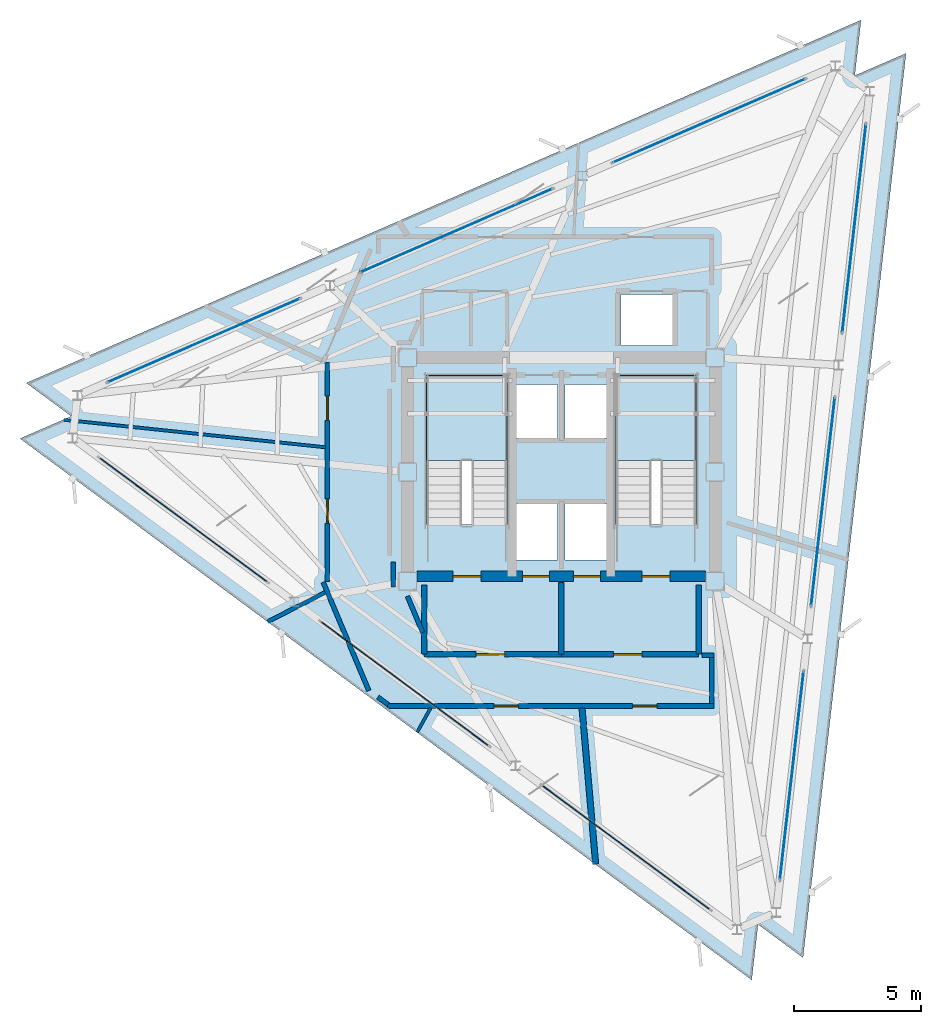
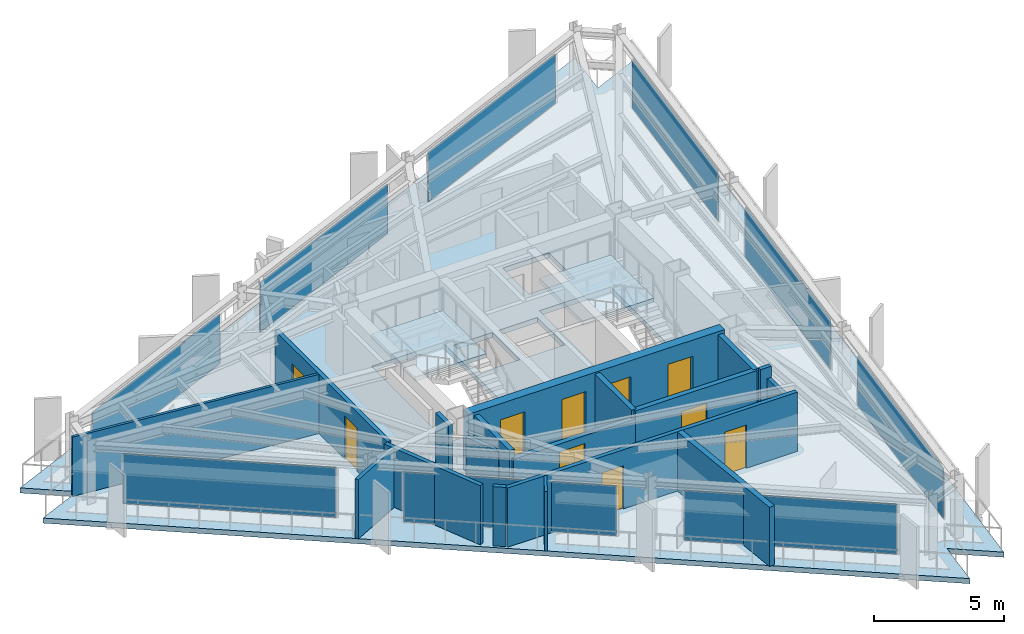
# One storey, part 5 of 10: 18 walls, 10 doors, 9 plates, 3 slabs, 10 openings, 11 elements without a shape of their own.
"""IFC4 building model written with IfcOpenShell, lengths in metres."""

from ifc_helpers import new_model, si_unit, direction, frame, frame_2d, origin, origin_2d, place, context, subcontext, project, spatial, polyline, rectangle, outline, extrude, material, layer, layer_set, type_object, element, fill, aggregate, save


model = new_model("IFC4")

# Units and contexts
model_context = context("Model", 3, precision=1e-05, world=origin(), true_north=direction((0.0, 1.0)))
body_context = subcontext(model_context, "Body", "Model", "MODEL_VIEW")
ifc_project = project(units=[si_unit("LENGTHUNIT", "METRE"), si_unit("AREAUNIT", "SQUARE_METRE"), si_unit("VOLUMEUNIT", "CUBIC_METRE"), si_unit("PLANEANGLEUNIT", "RADIAN"), si_unit("MASSUNIT", "GRAM", prefix="KILO")], contexts=[model_context])

# Site, building, storey
site_placement = place(None, origin())
site = spatial("IfcSite", under=ifc_project, at=site_placement, CompositionType="ELEMENT")
building_placement = place(site_placement, origin())
building = spatial("IfcBuilding", under=site, at=building_placement, Name="Rocaltana Carrier Exchange", CompositionType="ELEMENT")
storey_placement = place(building_placement, frame((0.0, 0.0, 227.0400390625)))
storey = spatial("IfcBuildingStorey", under=building, at=storey_placement, Name="L72", CompositionType="ELEMENT", Elevation=227.0400390625)

# Curtain wall, plate
ifc_material_1 = material(Name="Aluminium 6063-T6", Category="aluminium")
ifc_layer_1 = layer(ifc_material_1, 0.1201171875)
ifc_layer_set_1 = layer_set([ifc_layer_1], Name="Aluminium 6063-T6")
curtain_wall_type = type_object("IfcCurtainWallType", Name="High-Altitude Thermal Curtain Wall CW-05", PredefinedType="NOTDEFINED", material=ifc_layer_set_1)
curtain_wall_1_placement = place(storey_placement, origin())
curtain_wall_1 = element("IfcCurtainWall", 1, at=curtain_wall_1_placement, inside=storey, type_object=curtain_wall_type, Name="L72 CW-05 Run CW-L72-F1S1", PredefinedType="NOTDEFINED")
ifc_material_2 = material(Name="Tempered Laminated Glass", Category="glass")
ifc_layer_2 = layer(ifc_material_2, 0.035888671875)
ifc_layer_set_2 = layer_set([ifc_layer_2], Name="Tempered Laminated Glass")
plate_type = type_object("IfcPlateType", Name="CW-05 Stone-Insulated Vision Panel", PredefinedType="CURTAIN_PANEL", material=ifc_layer_set_2)
plate_1_placement = place(storey_placement, frame((9.061767578125, -11.935791015625, 0.06005859375), z_axis=(0.0, 0.0, 1.0), x_axis=(0.113208822277, 0.993571216652, 0.0)))
plate_1 = element("IfcPlate", 2, at=plate_1_placement, type_object=plate_type, Name="CW-05 panel 1.1", PredefinedType="CURTAIN_PANEL", context=body_context, shape_type="SweptSolid", body=[
    extrude(rectangle(XDim=8.21337890625, YDim=0.035888671875, at=origin_2d()), origin(), (0.0, 0.0, 1.0), 2.327880859375),
])
aggregate(curtain_wall_1, [plate_1])

curtain_wall_2_placement = place(storey_placement, origin())
curtain_wall_2 = element("IfcCurtainWall", 3, at=curtain_wall_2_placement, inside=storey, type_object=curtain_wall_type, Name="L72 CW-05 Run CW-L72-F1S2", PredefinedType="NOTDEFINED")
plate_2_placement = place(storey_placement, frame((10.2880859375, -1.172119140625, 0.06005859375), z_axis=(0.0, 0.0, 1.0), x_axis=(0.113208822277, 0.993571216652, 0.0)))
plate_2 = element("IfcPlate", 4, at=plate_2_placement, type_object=plate_type, Name="CW-05 panel 1.1", PredefinedType="CURTAIN_PANEL", context=body_context, shape_type="SweptSolid", body=[
    extrude(rectangle(XDim=8.21337890625, YDim=0.035888671875, at=origin_2d()), origin(), (0.0, 0.0, 1.0), 2.327880859375),
])
aggregate(curtain_wall_2, [plate_2])

curtain_wall_3_placement = place(storey_placement, origin())
curtain_wall_3 = element("IfcCurtainWall", 5, at=curtain_wall_3_placement, inside=storey, type_object=curtain_wall_type, Name="L72 CW-05 Run CW-L72-F1S3", PredefinedType="NOTDEFINED")
plate_3_placement = place(storey_placement, frame((11.5146484375, 9.591552734375, 0.06005859375), z_axis=(0.0, 0.0, 1.0), x_axis=(0.113196975964, 0.993572566365, 0.0)))
plate_3 = element("IfcPlate", 6, at=plate_3_placement, type_object=plate_type, Name="CW-05 panel 1.1", PredefinedType="CURTAIN_PANEL", context=body_context, shape_type="SweptSolid", body=[
    extrude(rectangle(XDim=8.21337890625, YDim=0.035888671875, at=origin_2d()), origin(), (0.0, 0.0, 1.0), 2.327880859375),
])
aggregate(curtain_wall_3, [plate_3])

curtain_wall_4_placement = place(storey_placement, origin())
curtain_wall_4 = element("IfcCurtainWall", 7, at=curtain_wall_4_placement, inside=storey, type_object=curtain_wall_type, Name="L72 CW-05 Run CW-L72-F2S1", PredefinedType="NOTDEFINED")
plate_4_placement = place(storey_placement, frame((5.805908203125, 13.815673828125, 0.06005859375), z_axis=(0.0, 0.0, 1.0), x_axis=(-0.917056701313, -0.39875682637, 0.0)))
plate_4 = element("IfcPlate", 8, at=plate_4_placement, type_object=plate_type, Name="CW-05 panel 1.1", PredefinedType="CURTAIN_PANEL", context=body_context, shape_type="SweptSolid", body=[
    extrude(rectangle(XDim=8.21337890625, YDim=0.035888671875, at=origin_2d()), origin(), (0.0, 0.0, 1.0), 2.327880859375),
])
aggregate(curtain_wall_4, [plate_4])

curtain_wall_5_placement = place(storey_placement, origin())
curtain_wall_5 = element("IfcCurtainWall", 9, at=curtain_wall_5_placement, inside=storey, type_object=curtain_wall_type, Name="L72 CW-05 Run CW-L72-F2S2", PredefinedType="NOTDEFINED")
plate_5_placement = place(storey_placement, frame((-4.12890625, 9.495849609375, 0.06005859375), z_axis=(0.0, 0.0, 1.0), x_axis=(-0.917058609352, -0.398752438254, 0.0)))
plate_5 = element("IfcPlate", 10, at=plate_5_placement, type_object=plate_type, Name="CW-05 panel 1.1", PredefinedType="CURTAIN_PANEL", context=body_context, shape_type="SweptSolid", body=[
    extrude(rectangle(XDim=8.21337890625, YDim=0.035888671875, at=origin_2d()), origin(), (0.0, 0.0, 1.0), 2.327880859375),
])
aggregate(curtain_wall_5, [plate_5])

curtain_wall_6_placement = place(storey_placement, origin())
curtain_wall_6 = element("IfcCurtainWall", 11, at=curtain_wall_6_placement, inside=storey, type_object=curtain_wall_type, Name="L72 CW-05 Run CW-L72-F2S3", PredefinedType="NOTDEFINED")
plate_6_placement = place(storey_placement, frame((-14.063720703125, 5.176025390625, 0.06005859375), z_axis=(0.0, 0.0, 1.0), x_axis=(-0.917056701313, -0.39875682637, 0.0)))
plate_6 = element("IfcPlate", 12, at=plate_6_placement, type_object=plate_type, Name="CW-05 panel 1.1", PredefinedType="CURTAIN_PANEL", context=body_context, shape_type="SweptSolid", body=[
    extrude(rectangle(XDim=8.21337890625, YDim=0.035888671875, at=origin_2d()), origin(), (0.0, 0.0, 1.0), 2.327880859375),
])
aggregate(curtain_wall_6, [plate_6])

curtain_wall_7_placement = place(storey_placement, origin())
curtain_wall_7 = element("IfcCurtainWall", 13, at=curtain_wall_7_placement, inside=storey, type_object=curtain_wall_type, Name="L72 CW-05 Run CW-L72-F3S1", PredefinedType="NOTDEFINED")
plate_7_placement = place(storey_placement, frame((-14.86767578125, -1.8798828125, 0.06005859375), z_axis=(0.0, 0.0, 1.0), x_axis=(0.803854063386, -0.594826566974, 0.0)))
plate_7 = element("IfcPlate", 14, at=plate_7_placement, type_object=plate_type, Name="CW-05 panel 1.1", PredefinedType="CURTAIN_PANEL", context=body_context, shape_type="SweptSolid", body=[
    extrude(rectangle(XDim=8.21337890625, YDim=0.035888671875, at=origin_2d()), origin(), (0.0, 0.0, 1.0), 2.327880859375),
])
aggregate(curtain_wall_7, [plate_7])

curtain_wall_8_placement = place(storey_placement, origin())
curtain_wall_8 = element("IfcCurtainWall", 15, at=curtain_wall_8_placement, inside=storey, type_object=curtain_wall_type, Name="L72 CW-05 Run CW-L72-F3S2", PredefinedType="NOTDEFINED")
plate_8_placement = place(storey_placement, frame((-6.1591796875, -8.32373046875, 0.06005859375), z_axis=(0.0, 0.0, 1.0), x_axis=(0.803858309141, -0.594820829179, 0.0)))
plate_8 = element("IfcPlate", 16, at=plate_8_placement, type_object=plate_type, Name="CW-05 panel 1.1", PredefinedType="CURTAIN_PANEL", context=body_context, shape_type="SweptSolid", body=[
    extrude(rectangle(XDim=8.21337890625, YDim=0.035888671875, at=origin_2d()), origin(), (0.0, 0.0, 1.0), 2.327880859375),
])
aggregate(curtain_wall_8, [plate_8])

curtain_wall_9_placement = place(storey_placement, origin())
curtain_wall_9 = element("IfcCurtainWall", 17, at=curtain_wall_9_placement, inside=storey, type_object=curtain_wall_type, Name="L72 CW-05 Run CW-L72-F3S3", PredefinedType="NOTDEFINED")
plate_9_placement = place(storey_placement, frame((2.54931640625, -14.767578125, 0.06005859375), z_axis=(0.0, 0.0, 1.0), x_axis=(0.803854063386, -0.594826566974, 0.0)))
plate_9 = element("IfcPlate", 18, at=plate_9_placement, type_object=plate_type, Name="CW-05 panel 1.1", PredefinedType="CURTAIN_PANEL", context=body_context, shape_type="SweptSolid", body=[
    extrude(rectangle(XDim=8.21337890625, YDim=0.035888671875, at=origin_2d()), origin(), (0.0, 0.0, 1.0), 2.327880859375),
])
aggregate(curtain_wall_9, [plate_9])

# Slab
ifc_material_3 = material(Name="Concrete C50/60", Category="concrete")
ifc_layer_3 = layer(ifc_material_3, 0.239990234375)
ifc_layer_set_3 = layer_set([ifc_layer_3], Name="Concrete C50/60")
slab_type_1 = type_object("IfcSlabType", Name="High-Zone Tower Slab 240", PredefinedType="FLOOR", material=ifc_layer_set_3)
slab_1_placement = place(storey_placement, frame((0.0, 0.0, -0.239990234375)))
element("IfcSlab", 19, at=slab_1_placement, inside=storey, type_object=slab_type_1, Name="L72 Structural Floor Slab", PredefinedType="FLOOR", context=body_context, shape_type="SweptSolid", body=[
    extrude(outline(polyline([(7.486328125, -19.975830078125), (7.7353515625, -17.7900390625), (9.50390625, -19.0986328125), (13.556396484375, 16.47119140625), (11.538818359375, 15.593994140625), (11.7880859375, 17.77978515625), (-21.042724609375, 3.504638671875), (-19.2744140625, 2.196044921875), (-21.291748046875, 1.31884765625), (7.486328125, -19.975830078125)]), holes=[polyline([(-5.300048828125, -2.06005859375), (-2.139892578125, -2.06005859375), (-2.139892578125, 3.800048828125), (-5.300048828125, 3.800048828125), (-5.300048828125, -2.06005859375)]), polyline([(2.139892578125, -2.06005859375), (5.300048828125, -2.06005859375), (5.300048828125, 3.800048828125), (2.139892578125, 3.800048828125), (2.139892578125, -2.06005859375)]), polyline([(-1.85009765625, -3.449951171875), (-0.14990234375, -3.449951171875), (-0.14990234375, -1.25), (-1.85009765625, -1.25), (-1.85009765625, -3.449951171875)]), polyline([(0.14990234375, -3.449951171875), (1.85009765625, -3.449951171875), (1.85009765625, -1.25), (0.14990234375, -1.25), (0.14990234375, -3.449951171875)]), polyline([(2.35009765625, 4.97998046875), (4.39990234375, 4.97998046875), (4.39990234375, 6.97998046875), (2.35009765625, 6.97998046875), (2.35009765625, 4.97998046875)]), polyline([(-1.85009765625, 1.35009765625), (-0.14990234375, 1.35009765625), (-0.14990234375, 3.449951171875), (-1.85009765625, 3.449951171875), (-1.85009765625, 1.35009765625)]), polyline([(0.14990234375, 1.35009765625), (1.85009765625, 1.35009765625), (1.85009765625, 3.449951171875), (0.14990234375, 3.449951171875), (0.14990234375, 1.35009765625)])]), origin(), (0.0, 0.0, 1.0), 0.239990234375),
])

# Stair, slab
ifc_material_4 = material(Name="Precast concrete C45/55", Category="concrete")
stair_type = type_object("IfcStairType", Name="Standard Dog-Leg Stair 160", PredefinedType="HALF_TURN_STAIR", material=ifc_material_4)
stair_1_placement = place(storey_placement, origin())
stair_1 = element("IfcStair", 20, at=stair_1_placement, inside=storey, type_object=stair_type, Name="L72 Core West Exit Stair ST-1", PredefinedType="HALF_TURN_STAIR")
ifc_material_5 = material(Name="Precast concrete C45/55", Category="concrete")
ifc_layer_4 = layer(ifc_material_5, 0.199951171875)
ifc_layer_set_4 = layer_set([ifc_layer_4], Name="Precast concrete C45/55")
slab_type_2 = type_object("IfcSlabType", Name="Precast Stair Half-Landing 200", PredefinedType="LANDING", material=ifc_layer_set_4)
slab_2_placement = place(storey_placement, frame((0.0, 0.0, 1.320068359375)))
slab_2 = element("IfcSlab", 21, at=slab_2_placement, type_object=slab_type_2, Name="ST-1 landing 1", PredefinedType="LANDING", context=body_context, shape_type="SweptSolid", body=[
    extrude(outline(polyline([(-2.139892578125, 0.4599609375), (-2.139892578125, 3.800048828125), (-5.300048828125, 3.800048828125), (-5.300048828125, 0.4599609375), (-2.139892578125, 0.4599609375)])), origin(), (0.0, 0.0, 1.0), 0.199951171875),
])
aggregate(stair_1, [slab_2])

stair_2_placement = place(storey_placement, origin())
stair_2 = element("IfcStair", 22, at=stair_2_placement, inside=storey, type_object=stair_type, Name="L72 Core East Exit Stair ST-2", PredefinedType="HALF_TURN_STAIR")
slab_3_placement = place(storey_placement, frame((0.0, 0.0, 1.320068359375)))
slab_3 = element("IfcSlab", 23, at=slab_3_placement, type_object=slab_type_2, Name="ST-2 landing 1", PredefinedType="LANDING", context=body_context, shape_type="SweptSolid", body=[
    extrude(outline(polyline([(5.300048828125, 0.4599609375), (5.300048828125, 3.800048828125), (2.139892578125, 3.800048828125), (2.139892578125, 0.4599609375), (5.300048828125, 0.4599609375)])), origin(), (0.0, 0.0, 1.0), 0.199951171875),
])
aggregate(stair_2, [slab_3])

# Wall
ifc_material_6 = material(Name="Double Acoustic Gypsum Partition", Category="gypsum")
ifc_layer_5 = layer(ifc_material_6, 0.159912109375)
ifc_layer_set_5 = layer_set([ifc_layer_5], Name="Double Acoustic Gypsum Partition")
wall_type_1 = type_object("IfcWallType", Name="Acoustic Studio Partition 160 EI60", PredefinedType="PARTITIONING", material=ifc_layer_set_5)
wall_1_placement = place(storey_placement, frame((-9.28564453125, -4.731201171875, 0.0), z_axis=(0.0, 0.0, 1.0), x_axis=(-0.890990970919, -0.454021023456, 0.0)))
element("IfcWall", 24, at=wall_1_placement, inside=storey, type_object=wall_type_1, Name="L72 Suite Divider Wall D1", PredefinedType="PARTITIONING", context=body_context, shape_type="SweptSolid", body=[
    extrude(rectangle(XDim=2.534423828125, YDim=0.159912109375, at=frame_2d((1.26708984375, 0.0))), origin(), (0.0, 0.0, 1.0), 2.77294921875),
])

# Wall, openings, doors
ifc_material_7 = material(Name="Concrete C50/60", Category="concrete")
ifc_layer_6 = layer(ifc_material_7, 0.39990234375)
ifc_layer_set_6 = layer_set([ifc_layer_6], Name="Concrete C50/60")
wall_type_2 = type_object("IfcWallType", Name="Core Internal Shear Wall 400", PredefinedType="SHEAR", material=ifc_layer_set_6)
wall_2_placement = place(storey_placement, frame((-5.675048828125, -4.10009765625, 0.0), z_axis=(0.0, 0.0, 1.0), x_axis=(1.0, 0.0, 0.0)))
wall_2 = element("IfcWall", 25, at=wall_2_placement, inside=storey, type_object=wall_type_2, Name="L72 Core Shear Wall CW-S", PredefinedType="SHEAR", context=body_context, shape_type="SweptSolid", body=[
    extrude(rectangle(XDim=11.35009765625, YDim=0.39990234375, at=frame_2d((5.675048828125, 0.0))), origin(), (0.0, 0.0, 1.0), 2.7978515625),
])
opening_1_placement = place(wall_2_placement, frame((1.405029296875, 0.0, 0.0)))
opening_1 = element("IfcOpeningElement", 26, at=opening_1_placement, cuts=wall_2, Name="Opening D-ST110", PredefinedType="OPENING", context=body_context, shape_type="SweptSolid", body=[
    extrude(rectangle(XDim=1.10009765625, YDim=2.0400390625, at=frame_2d((0.550048828125, 1.02001953125))), frame((0.0, 0.2099609375, 0.0), z_axis=(0.0, -1.0, 0.0), x_axis=(1.0, 0.0, 0.0)), (0.0, 0.0, 1.0), 0.419921875),
])
opening_2_placement = place(wall_2_placement, frame((8.844970703125, 0.0, 0.0)))
opening_2 = element("IfcOpeningElement", 27, at=opening_2_placement, cuts=wall_2, Name="Opening D-ST110", PredefinedType="OPENING", context=body_context, shape_type="SweptSolid", body=[
    extrude(rectangle(XDim=1.10009765625, YDim=2.0400390625, at=frame_2d((0.550048828125, 1.02001953125))), frame((0.0, 0.2099609375, 0.0), z_axis=(0.0, -1.0, 0.0), x_axis=(1.0, 0.0, 0.0)), (0.0, 0.0, 1.0), 0.419921875),
])
opening_3_placement = place(wall_2_placement, frame((4.14501953125, 0.0, 0.0)))
opening_3 = element("IfcOpeningElement", 28, at=opening_3_placement, cuts=wall_2, Name="Opening LD-110", PredefinedType="OPENING", context=body_context, shape_type="SweptSolid", body=[
    extrude(rectangle(XDim=1.06005859375, YDim=2.0400390625, at=frame_2d((0.530029296875, 1.02001953125))), frame((0.0, 0.2099609375, 0.0), z_axis=(0.0, -1.0, 0.0), x_axis=(1.0, 0.0, 0.0)), (0.0, 0.0, 1.0), 0.419921875),
])
opening_4_placement = place(wall_2_placement, frame((6.14501953125, 0.0, 0.0)))
opening_4 = element("IfcOpeningElement", 29, at=opening_4_placement, cuts=wall_2, Name="Opening LD-110", PredefinedType="OPENING", context=body_context, shape_type="SweptSolid", body=[
    extrude(rectangle(XDim=1.06005859375, YDim=2.0400390625, at=frame_2d((0.530029296875, 1.02001953125))), frame((0.0, 0.2099609375, 0.0), z_axis=(0.0, -1.0, 0.0), x_axis=(1.0, 0.0, 0.0)), (0.0, 0.0, 1.0), 0.419921875),
])
ifc_material_8 = material(Name="Hollow Metal Fire Door Assembly", Category="steel")
door_type_1 = type_object("IfcDoorType", Name="Exit Stair Fire Door 1100x2040 FD90S", OperationType="NOTDEFINED", PredefinedType="DOOR", material=ifc_material_8)
door_1_placement = place(opening_1_placement, origin())
door_1 = element("IfcDoor", 30, at=door_1_placement, inside=storey, type_object=door_type_1, Name="L72 Exit Stair ST1 Fire Door", OperationType="SINGLE_SWING_RIGHT", OverallHeight=2.0400390625, OverallWidth=1.10009765625, PredefinedType="DOOR", context=body_context, shape_type="SweptSolid", body=[
    extrude(rectangle(XDim=1.10009765625, YDim=2.0400390625, at=frame_2d((0.550048828125, 1.02001953125))), frame((0.0, 0.02490234375, 0.0), z_axis=(0.0, -1.0, 0.0), x_axis=(1.0, 0.0, 0.0)), (0.0, 0.0, 1.0), 0.050048828125),
])
fill(opening_1, door_1)
door_2_placement = place(opening_2_placement, origin())
door_2 = element("IfcDoor", 31, at=door_2_placement, inside=storey, type_object=door_type_1, Name="L72 Exit Stair ST2 Fire Door", OperationType="SINGLE_SWING_LEFT", OverallHeight=2.0400390625, OverallWidth=1.10009765625, PredefinedType="DOOR", context=body_context, shape_type="SweptSolid", body=[
    extrude(rectangle(XDim=1.10009765625, YDim=2.0400390625, at=frame_2d((0.550048828125, 1.02001953125))), frame((0.0, 0.02490234375, 0.0), z_axis=(0.0, -1.0, 0.0), x_axis=(1.0, 0.0, 0.0)), (0.0, 0.0, 1.0), 0.050048828125),
])
fill(opening_2, door_2)
ifc_material_9 = material(Name="Brushed Stainless Sliding Door Leaf", Category="steel")
door_type_2 = type_object("IfcDoorType", Name="Lift Landing Sliding Door 1060x2040", OperationType="NOTDEFINED", PredefinedType="DOOR", material=ifc_material_9)
door_3_placement = place(opening_3_placement, origin())
door_3 = element("IfcDoor", 32, at=door_3_placement, inside=storey, type_object=door_type_2, Name="L72 Firefighting Lift FFL1 Landing Door", OperationType="SLIDING_TO_LEFT", OverallHeight=2.0400390625, OverallWidth=1.06005859375, PredefinedType="DOOR", context=body_context, shape_type="SweptSolid", body=[
    extrude(rectangle(XDim=1.06005859375, YDim=2.0400390625, at=frame_2d((0.530029296875, 1.02001953125))), frame((0.0, 0.02490234375, 0.0), z_axis=(0.0, -1.0, 0.0), x_axis=(1.0, 0.0, 0.0)), (0.0, 0.0, 1.0), 0.050048828125),
])
fill(opening_3, door_3)
door_4_placement = place(opening_4_placement, origin())
door_4 = element("IfcDoor", 33, at=door_4_placement, inside=storey, type_object=door_type_2, Name="L72 Firefighting Lift FFL2 Landing Door", OperationType="SLIDING_TO_RIGHT", OverallHeight=2.0400390625, OverallWidth=1.06005859375, PredefinedType="DOOR", context=body_context, shape_type="SweptSolid", body=[
    extrude(rectangle(XDim=1.06005859375, YDim=2.0400390625, at=frame_2d((0.530029296875, 1.02001953125))), frame((0.0, 0.02490234375, 0.0), z_axis=(0.0, -1.0, 0.0), x_axis=(1.0, 0.0, 0.0)), (0.0, 0.0, 1.0), 0.050048828125),
])
fill(opening_4, door_4)

# Wall
ifc_material_10 = material(Name="Gypsum & Steel Stud Partition", Category="steel")
ifc_layer_7 = layer(ifc_material_10, 0.179931640625)
ifc_layer_set_7 = layer_set([ifc_layer_7], Name="Gypsum & Steel Stud Partition")
wall_type_3 = type_object("IfcWallType", Name="Corridor Fire Partition 180 EI60", PredefinedType="PARTITIONING", material=ifc_layer_set_7)
wall_3_placement = place(storey_placement, frame((-7.573974609375, -8.595703125, 0.0), z_axis=(0.0, 0.0, 1.0), x_axis=(-0.38757793583, 0.921836939842, 0.0)))
element("IfcWall", 34, at=wall_3_placement, inside=storey, type_object=wall_type_3, Name="L72 Corridor Partition 1", PredefinedType="PARTITIONING", context=body_context, shape_type="SweptSolid", body=[
    extrude(rectangle(XDim=4.62548828125, YDim=0.179931640625, at=frame_2d((2.312744140625, 0.0))), origin(), (0.0, 0.0, 1.0), 2.77294921875),
])

# Wall, openings, doors
wall_4_placement = place(storey_placement, frame((-9.199951171875, -4.303466796875, 0.0), z_axis=(0.0, 0.0, 1.0), x_axis=(0.0, 1.0, 0.0)))
wall_4 = element("IfcWall", 35, at=wall_4_placement, inside=storey, type_object=wall_type_3, Name="L72 Corridor Partition 2", PredefinedType="PARTITIONING", context=body_context, shape_type="SweptSolid", body=[
    extrude(rectangle(XDim=8.60693359375, YDim=0.179931640625, at=frame_2d((4.303466796875, 0.0))), origin(), (0.0, 0.0, 1.0), 2.77294921875),
])
opening_5_placement = place(wall_4_placement, frame((2.289306640625, 0.0, 0.0)))
opening_5 = element("IfcOpeningElement", 36, at=opening_5_placement, cuts=wall_4, Name="Opening D-RM098", PredefinedType="OPENING", context=body_context, shape_type="SweptSolid", body=[
    extrude(rectangle(XDim=0.9599609375, YDim=2.02001953125, at=frame_2d((0.47998046875, 1.010009765625))), frame((0.0, 0.099853515625, 0.0), z_axis=(0.0, -1.0, 0.0), x_axis=(1.0, 0.0, 0.0)), (0.0, 0.0, 1.0), 0.199951171875),
])
opening_6_placement = place(wall_4_placement, frame((6.3330078125, 0.0, 0.0)))
opening_6 = element("IfcOpeningElement", 37, at=opening_6_placement, cuts=wall_4, Name="Opening D-RM098", PredefinedType="OPENING", context=body_context, shape_type="SweptSolid", body=[
    extrude(rectangle(XDim=0.9599609375, YDim=2.02001953125, at=frame_2d((0.47998046875, 1.010009765625))), frame((0.0, 0.099853515625, 0.0), z_axis=(0.0, -1.0, 0.0), x_axis=(1.0, 0.0, 0.0)), (0.0, 0.0, 1.0), 0.199951171875),
])
ifc_material_11 = material(Name="Engineered Hardwood Timber", Category="wood")
door_type_3 = type_object("IfcDoorType", Name="Workspace Single Door 960x2020", OperationType="NOTDEFINED", PredefinedType="DOOR", material=ifc_material_11)
door_5_placement = place(opening_5_placement, origin())
door_5 = element("IfcDoor", 38, at=door_5_placement, inside=storey, type_object=door_type_3, Name="L72 Client Reception Foyer Entrance Door", OperationType="SINGLE_SWING_LEFT", OverallHeight=2.02001953125, OverallWidth=0.9599609375, PredefinedType="DOOR", context=body_context, shape_type="SweptSolid", body=[
    extrude(rectangle(XDim=0.9599609375, YDim=2.02001953125, at=frame_2d((0.47998046875, 1.010009765625))), frame((0.0, 0.02490234375, 0.0), z_axis=(0.0, -1.0, 0.0), x_axis=(1.0, 0.0, 0.0)), (0.0, 0.0, 1.0), 0.050048828125),
])
fill(opening_5, door_5)
door_6_placement = place(opening_6_placement, origin())
door_6 = element("IfcDoor", 39, at=door_6_placement, inside=storey, type_object=door_type_3, Name="L72 Client Reception Foyer Entrance Door", OperationType="SINGLE_SWING_LEFT", OverallHeight=2.02001953125, OverallWidth=0.9599609375, PredefinedType="DOOR", context=body_context, shape_type="SweptSolid", body=[
    extrude(rectangle(XDim=0.9599609375, YDim=2.02001953125, at=frame_2d((0.47998046875, 1.010009765625))), frame((0.0, 0.02490234375, 0.0), z_axis=(0.0, -1.0, 0.0), x_axis=(1.0, 0.0, 0.0)), (0.0, 0.0, 1.0), 0.050048828125),
])
fill(opening_6, door_6)

# Walls
wall_5_placement = place(storey_placement, frame((-6.610107421875, -3.541259765625, 0.0), z_axis=(0.0, 0.0, 1.0), x_axis=(0.0, -1.0, 0.0)))
element("IfcWall", 40, at=wall_5_placement, inside=storey, type_object=wall_type_3, Name="L72 Corridor Partition 12", PredefinedType="PARTITIONING", context=body_context, shape_type="SweptSolid", body=[
    extrude(rectangle(XDim=0.978759765625, YDim=0.179931640625, at=frame_2d((0.4892578125, 0.0))), origin(), (0.0, 0.0, 1.0), 2.77294921875),
])
wall_6_placement = place(storey_placement, frame((-6.0546875, -4.881591796875, 0.0), z_axis=(0.0, 0.0, 1.0), x_axis=(0.387579540458, -0.921836265189, 0.0)))
element("IfcWall", 41, at=wall_6_placement, inside=storey, type_object=wall_type_3, Name="L72 Corridor Partition 13", PredefinedType="PARTITIONING", context=body_context, shape_type="SweptSolid", body=[
    extrude(rectangle(XDim=1.5546875, YDim=0.179931640625, at=frame_2d((0.77734375, 0.0))), origin(), (0.0, 0.0, 1.0), 2.2529296875),
])
wall_7_placement = place(storey_placement, frame((5.530029296875, -7.199951171875, 0.0), z_axis=(0.0, 0.0, 1.0), x_axis=(1.0, 0.0, 0.0)))
element("IfcWall", 42, at=wall_7_placement, inside=storey, type_object=wall_type_3, Name="L72 Corridor Partition 14", PredefinedType="PARTITIONING", context=body_context, shape_type="SweptSolid", body=[
    extrude(rectangle(XDim=0.47998046875, YDim=0.179931640625, at=frame_2d((0.239990234375, 0.0))), origin(), (0.0, 0.0, 1.0), 2.77294921875),
])
wall_8_placement = place(storey_placement, frame((5.919921875, -7.2900390625, 0.0), z_axis=(0.0, 0.0, 1.0), x_axis=(0.0, -1.0, 0.0)))
element("IfcWall", 43, at=wall_8_placement, inside=storey, type_object=wall_type_3, Name="L72 Corridor Partition 15", PredefinedType="PARTITIONING", context=body_context, shape_type="SweptSolid", body=[
    extrude(rectangle(XDim=1.820068359375, YDim=0.179931640625, at=frame_2d((0.91015625, 0.0))), origin(), (0.0, 0.0, 1.0), 2.2529296875),
])

# Wall, openings, doors
wall_9_placement = place(storey_placement, frame((6.010009765625, -9.199951171875, 0.0), z_axis=(0.0, 0.0, 1.0), x_axis=(-1.0, 0.0, 0.0)))
wall_9 = element("IfcWall", 44, at=wall_9_placement, inside=storey, type_object=wall_type_3, Name="L72 Corridor Partition 16", PredefinedType="PARTITIONING", context=body_context, shape_type="SweptSolid", body=[
    extrude(rectangle(XDim=12.840087890625, YDim=0.179931640625, at=frame_2d((6.419921875, 0.0))), origin(), (0.0, 0.0, 1.0), 2.77294921875),
])
opening_7_placement = place(wall_9_placement, frame((7.6982421875, 0.0, 0.0)))
opening_7 = element("IfcOpeningElement", 45, at=opening_7_placement, cuts=wall_9, Name="Opening D-RM098", PredefinedType="OPENING", context=body_context, shape_type="SweptSolid", body=[
    extrude(rectangle(XDim=0.9599609375, YDim=2.02001953125, at=frame_2d((0.47998046875, 1.010009765625))), frame((0.0, 0.099853515625, 0.0), z_axis=(0.0, -1.0, 0.0), x_axis=(1.0, 0.0, 0.0)), (0.0, 0.0, 1.0), 0.199951171875),
])
opening_8_placement = place(wall_9_placement, frame((2.2490234375, 0.0, 0.0)))
opening_8 = element("IfcOpeningElement", 46, at=opening_8_placement, cuts=wall_9, Name="Opening D-RM098", PredefinedType="OPENING", context=body_context, shape_type="SweptSolid", body=[
    extrude(rectangle(XDim=0.9599609375, YDim=2.02001953125, at=frame_2d((0.47998046875, 1.010009765625))), frame((0.0, 0.099853515625, 0.0), z_axis=(0.0, -1.0, 0.0), x_axis=(1.0, 0.0, 0.0)), (0.0, 0.0, 1.0), 0.199951171875),
])
door_7_placement = place(opening_7_placement, origin())
door_7 = element("IfcDoor", 47, at=door_7_placement, inside=storey, type_object=door_type_3, Name="L72 Staff Break Pantry Entrance Door", OperationType="SINGLE_SWING_RIGHT", OverallHeight=2.02001953125, OverallWidth=0.9599609375, PredefinedType="DOOR", context=body_context, shape_type="SweptSolid", body=[
    extrude(rectangle(XDim=0.9599609375, YDim=2.02001953125, at=frame_2d((0.47998046875, 1.010009765625))), frame((0.0, 0.02490234375, 0.0), z_axis=(0.0, -1.0, 0.0), x_axis=(1.0, 0.0, 0.0)), (0.0, 0.0, 1.0), 0.050048828125),
])
fill(opening_7, door_7)
door_8_placement = place(opening_8_placement, origin())
door_8 = element("IfcDoor", 48, at=door_8_placement, inside=storey, type_object=door_type_3, Name="L72 Client Reception Foyer Entrance Door", OperationType="SINGLE_SWING_LEFT", OverallHeight=2.02001953125, OverallWidth=0.9599609375, PredefinedType="DOOR", context=body_context, shape_type="SweptSolid", body=[
    extrude(rectangle(XDim=0.9599609375, YDim=2.02001953125, at=frame_2d((0.47998046875, 1.010009765625))), frame((0.0, 0.02490234375, 0.0), z_axis=(0.0, -1.0, 0.0), x_axis=(1.0, 0.0, 0.0)), (0.0, 0.0, 1.0), 0.050048828125),
])
fill(opening_8, door_8)

# Walls
wall_10_placement = place(storey_placement, frame((-6.8125, -9.146484375, 0.0), z_axis=(0.0, 0.0, 1.0), x_axis=(-0.803893055119, 0.594773869577, 0.0)))
element("IfcWall", 49, at=wall_10_placement, inside=storey, type_object=wall_type_3, Name="L72 Corridor Partition 17", PredefinedType="PARTITIONING", context=body_context, shape_type="SweptSolid", body=[
    extrude(rectangle(XDim=0.501953125, YDim=0.179931640625, at=frame_2d((0.2509765625, 0.0))), origin(), (0.0, 0.0, 1.0), 2.77294921875),
])
ifc_material_12 = material(Name="Aluminium 6063-T6 & Acoustic Glass", Category="aluminium")
ifc_layer_8 = layer(ifc_material_12, 0.114990234375)
ifc_layer_set_8 = layer_set([ifc_layer_8], Name="Aluminium 6063-T6 & Acoustic Glass")
wall_type_4 = type_object("IfcWallType", Name="Demountable Glazed Lab Partition 115", PredefinedType="MOVABLE", material=ifc_layer_set_8)
wall_11_placement = place(storey_placement, frame((-5.14404296875, -9.280029296875, 0.0), z_axis=(0.0, 0.0, 1.0), x_axis=(-0.484725114425, -0.874666544144, 0.0)))
element("IfcWall", 50, at=wall_11_placement, inside=storey, type_object=wall_type_4, Name="L72 Suite Divider Wall D2", PredefinedType="MOVABLE", context=body_context, shape_type="SweptSolid", body=[
    extrude(rectangle(XDim=1.08447265625, YDim=0.114990234375, at=frame_2d((0.542236328125, 0.0))), origin(), (0.0, 0.0, 1.0), 2.77294921875),
])
wall_12_placement = place(storey_placement, frame((-9.280029296875, 0.975341796875, 0.0), z_axis=(0.0, 0.0, 1.0), x_axis=(-0.994520958229, 0.104537379166, 0.0)))
element("IfcWall", 51, at=wall_12_placement, inside=storey, type_object=wall_type_4, Name="L72 Suite Divider Wall D8", PredefinedType="MOVABLE", context=body_context, shape_type="SweptSolid", body=[
    extrude(rectangle(XDim=10.345947265625, YDim=0.114990234375, at=frame_2d((5.1728515625, 0.0))), origin(), (0.0, 0.0, 1.0), 2.77294921875),
])
ifc_material_13 = material(Name="Autoclaved Aerated Concrete C30/37", Category="concrete")
ifc_layer_9 = layer(ifc_material_13, 0.219970703125)
ifc_layer_set_9 = layer_set([ifc_layer_9], Name="Autoclaved Aerated Concrete C30/37")
wall_type_5 = type_object("IfcWallType", Name="Firefighting Lobby Wall 220 EI120", PredefinedType="PARTITIONING", material=ifc_layer_set_9)
for number, where, z_axis, x_axis, name in (
    (52, (-5.39990234375, -7.159912109375, 0.0), (0.0, 0.0, 1.0), (0.0, 1.0, 0.0), "L72 FFL Lobby 1 West Wall"),
    (53, (5.39990234375, -7.159912109375, 0.0), (0.0, 0.0, 1.0), (0.0, 1.0, 0.0), "L72 FFL Lobby 2 East Wall"),
):
    element("IfcWall", number, at=place(storey_placement, frame(where, z_axis=z_axis, x_axis=x_axis)), inside=storey, type_object=wall_type_5, Name=name, PredefinedType="PARTITIONING", context=body_context, shape_type="SweptSolid", body=[
        extrude(rectangle(XDim=2.7099609375, YDim=0.219970703125, at=frame_2d((1.35498046875, 0.0))), origin(), (0.0, 0.0, 1.0), 2.77294921875),
    ])
wall_13_placement = place(storey_placement, frame((0.0, -7.159912109375, 0.0), z_axis=(0.0, 0.0, 1.0), x_axis=(0.0, 1.0, 0.0)))
element("IfcWall", 54, at=wall_13_placement, inside=storey, type_object=wall_type_5, Name="L72 FFL Lobby Centre Wall", PredefinedType="PARTITIONING", context=body_context, shape_type="SweptSolid", body=[
    extrude(rectangle(XDim=2.809814453125, YDim=0.219970703125, at=frame_2d((1.40478515625, 0.0))), origin(), (0.0, 0.0, 1.0), 2.77294921875),
])

# Wall, opening, door
wall_14_placement = place(storey_placement, frame((-5.39990234375, -7.159912109375, 0.0), z_axis=(0.0, 0.0, 1.0), x_axis=(1.0, 0.0, 0.0)))
wall_14 = element("IfcWall", 55, at=wall_14_placement, inside=storey, type_object=wall_type_5, Name="L72 FFL Lobby 1 South Wall", PredefinedType="PARTITIONING", context=body_context, shape_type="SweptSolid", body=[
    extrude(rectangle(XDim=5.39990234375, YDim=0.219970703125, at=frame_2d((2.699951171875, 0.0))), origin(), (0.0, 0.0, 1.0), 2.39501953125),
])
opening_9_placement = place(wall_14_placement, frame((2.050048828125, 0.0, 0.0)))
opening_9 = element("IfcOpeningElement", 56, at=opening_9_placement, cuts=wall_14, Name="Opening D-FF115", PredefinedType="OPENING", context=body_context, shape_type="SweptSolid", body=[
    extrude(rectangle(XDim=1.1201171875, YDim=2.02001953125, at=frame_2d((0.56005859375, 1.010009765625))), frame((0.0, 0.119873046875, 0.0), z_axis=(0.0, -1.0, 0.0), x_axis=(1.0, 0.0, 0.0)), (0.0, 0.0, 1.0), 0.239990234375),
])
ifc_material_14 = material(Name="Hollow Metal Fire Door Assembly", Category="steel")
door_type_4 = type_object("IfcDoorType", Name="Firefighting Lobby Door 1120x2020 FD60S", OperationType="NOTDEFINED", PredefinedType="DOOR", material=ifc_material_14)
door_9_placement = place(opening_9_placement, origin())
door_9 = element("IfcDoor", 57, at=door_9_placement, inside=storey, type_object=door_type_4, Name="L72 Firefighting Lift Lobby 1 Door", OperationType="SINGLE_SWING_RIGHT", OverallHeight=2.02001953125, OverallWidth=1.1201171875, PredefinedType="DOOR", context=body_context, shape_type="SweptSolid", body=[
    extrude(rectangle(XDim=1.1201171875, YDim=2.02001953125, at=frame_2d((0.56005859375, 1.010009765625))), frame((0.0, 0.02490234375, 0.0), z_axis=(0.0, -1.0, 0.0), x_axis=(1.0, 0.0, 0.0)), (0.0, 0.0, 1.0), 0.050048828125),
])
fill(opening_9, door_9)

wall_15_placement = place(storey_placement, frame((0.0, -7.159912109375, 0.0), z_axis=(0.0, 0.0, 1.0), x_axis=(1.0, 0.0, 0.0)))
wall_15 = element("IfcWall", 58, at=wall_15_placement, inside=storey, type_object=wall_type_5, Name="L72 FFL Lobby 2 South Wall", PredefinedType="PARTITIONING", context=body_context, shape_type="SweptSolid", body=[
    extrude(rectangle(XDim=5.39990234375, YDim=0.219970703125, at=frame_2d((2.699951171875, 0.0))), origin(), (0.0, 0.0, 1.0), 2.77294921875),
])
opening_10_placement = place(wall_15_placement, frame((2.050048828125, 0.0, 0.0)))
opening_10 = element("IfcOpeningElement", 59, at=opening_10_placement, cuts=wall_15, Name="Opening D-FF115", PredefinedType="OPENING", context=body_context, shape_type="SweptSolid", body=[
    extrude(rectangle(XDim=1.1201171875, YDim=2.02001953125, at=frame_2d((0.56005859375, 1.010009765625))), frame((0.0, 0.119873046875, 0.0), z_axis=(0.0, -1.0, 0.0), x_axis=(1.0, 0.0, 0.0)), (0.0, 0.0, 1.0), 0.239990234375),
])
door_10_placement = place(opening_10_placement, origin())
door_10 = element("IfcDoor", 60, at=door_10_placement, inside=storey, type_object=door_type_4, Name="L72 Firefighting Lift Lobby 2 Door", OperationType="SINGLE_SWING_LEFT", OverallHeight=2.02001953125, OverallWidth=1.1201171875, PredefinedType="DOOR", context=body_context, shape_type="SweptSolid", body=[
    extrude(rectangle(XDim=1.1201171875, YDim=2.02001953125, at=frame_2d((0.56005859375, 1.010009765625))), frame((0.0, 0.02490234375, 0.0), z_axis=(0.0, -1.0, 0.0), x_axis=(1.0, 0.0, 0.0)), (0.0, 0.0, 1.0), 0.050048828125),
])
fill(opening_10, door_10)

# Wall
ifc_material_15 = material(Name="Acoustic Calcium Silicate Partition", Category="gypsum")
ifc_layer_10 = layer(ifc_material_15, 0.239990234375)
ifc_layer_set_10 = layer_set([ifc_layer_10], Name="Acoustic Calcium Silicate Partition")
wall_type_6 = type_object("IfcWallType", Name="Heavy Lab Partition 240 EI90", PredefinedType="PARTITIONING", material=ifc_layer_set_10)
wall_16_placement = place(storey_placement, frame((0.81201171875, -9.280029296875, 0.0), z_axis=(0.0, 0.0, 1.0), x_axis=(0.087150741032, -0.996195135673, 0.0)))
element("IfcWall", 61, at=wall_16_placement, inside=storey, type_object=wall_type_6, Name="L72 Suite Divider Wall D3", PredefinedType="PARTITIONING", context=body_context, shape_type="SweptSolid", body=[
    extrude(rectangle(XDim=6.165771484375, YDim=0.239990234375, at=frame_2d((3.0830078125, 0.0))), origin(), (0.0, 0.0, 1.0), 2.77294921875),
])

save(model, "model.ifc")
